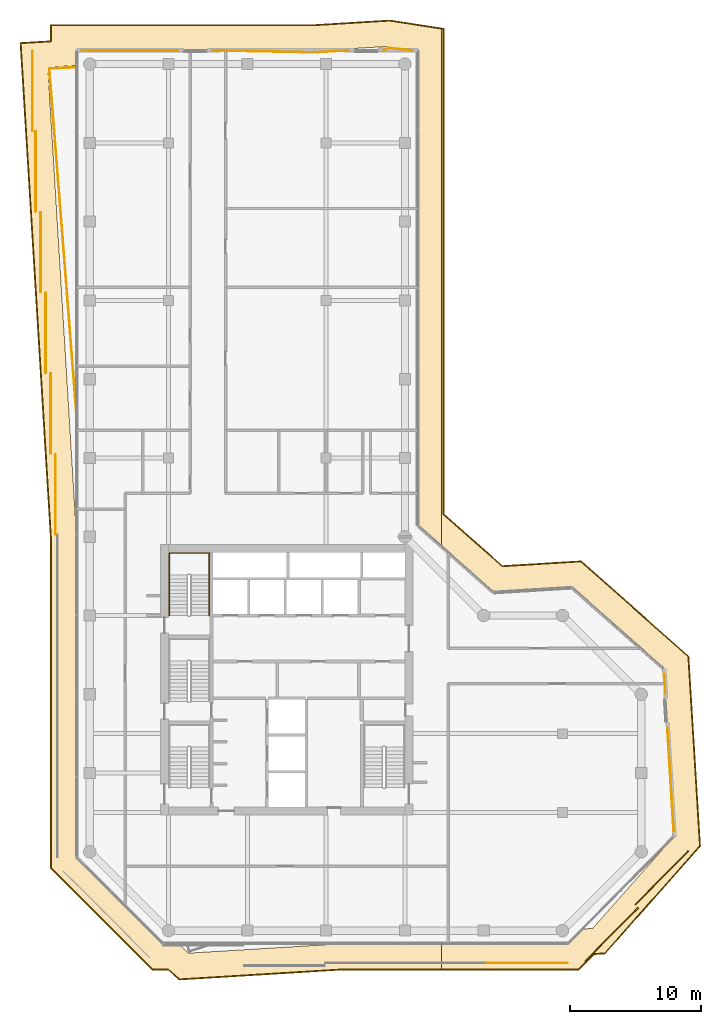
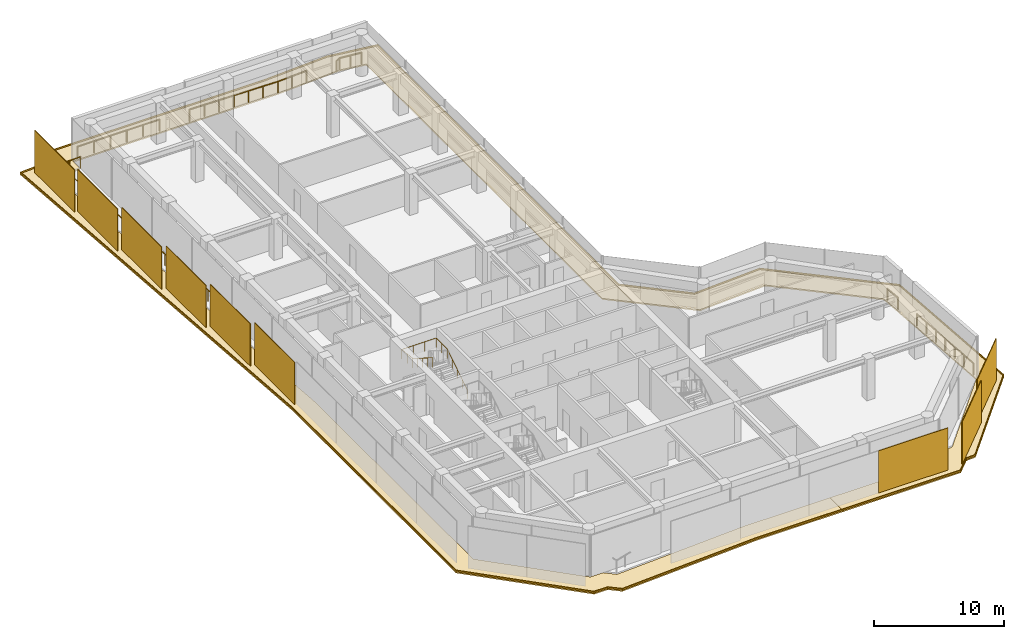
# One storey, part 21 of 21: 13 coverings, 7 railings.
"""IFC4 building model written with IfcOpenShell, lengths in metres."""

from ifc_helpers import new_model, si_unit, direction, frame, origin, origin_2d, place, context, subcontext, project, spatial, polyline, rectangle, circle, outline, extrude, material, layer, layer_set, type_object, element, save


model = new_model("IFC4")

# Units and contexts
model_context = context("Model", 3, precision=1e-05, world=origin(), true_north=direction((0.0, 1.0)))
body_context = subcontext(model_context, "Body", "Model", "MODEL_VIEW")
ifc_project = project(units=[si_unit("LENGTHUNIT", "METRE"), si_unit("AREAUNIT", "SQUARE_METRE"), si_unit("VOLUMEUNIT", "CUBIC_METRE"), si_unit("PLANEANGLEUNIT", "RADIAN"), si_unit("MASSUNIT", "GRAM", prefix="KILO")], contexts=[model_context])

# Site, building, storey
site_placement = place(None, origin())
site = spatial("IfcSite", under=ifc_project, at=site_placement, CompositionType="ELEMENT")
building_placement = place(site_placement, origin())
building = spatial("IfcBuilding", under=site, at=building_placement, Name="Welwitschia Terrace Campus", CompositionType="ELEMENT")
storey_placement = place(building_placement, frame((0.0, 0.0, 184.39990234375)))
storey = spatial("IfcBuildingStorey", under=building, at=storey_placement, Name="L41", CompositionType="ELEMENT", Elevation=184.39990234375)

# Coverings
ifc_material_1 = material(Name="Bronze mesh aluminium screen", Category="aluminium")
ifc_layer_1 = layer(ifc_material_1, 0.06005859375)
ifc_layer_set_1 = layer_set([ifc_layer_1], Name="Bronze mesh aluminium screen")
covering_type_1 = type_object("IfcCoveringType", Name="Bronze screen 60", PredefinedType="USERDEFINED", material=ifc_layer_set_1)
covering_1_placement = place(storey_placement, frame((33.34130859375, -6.4599609375, 0.0), z_axis=(0.0, 0.0, 1.0), x_axis=(1.0, 0.0, 0.0)))
element("IfcCovering", 1, at=covering_1_placement, inside=storey, type_object=covering_type_1, Name="Screen L41.1.4", ObjectType="SCREEN", PredefinedType="USERDEFINED", context=body_context, shape_type="SweptSolid", body=[
    extrude(rectangle(XDim=6.150634765625, YDim=0.06005859375, at=origin_2d()), origin(), (0.0, 0.0, 1.0), 3.949951171875),
])
for number, where, z_axis, x_axis, name in (
    (2, (39.760009765625, -4.288818359375, 0.0), (0.0, 0.0, 1.0), (0.703220040285, 0.710972274383, 0.0), "Screen L41.2.0"),
    (3, (43.57080078125, 0.017822265625, 0.0), (0.0, 0.0, 1.0), (0.703220040285, 0.710972274383, 0.0), "Screen L41.2.1"),
):
    element("IfcCovering", number, at=place(storey_placement, frame(where, z_axis=z_axis, x_axis=x_axis)), inside=storey, type_object=covering_type_1, Name=name, ObjectType="SCREEN", PredefinedType="USERDEFINED", context=body_context, shape_type="SweptSolid", body=[
        extrude(rectangle(XDim=5.721923828125, YDim=0.06005859375, at=origin_2d()), origin(), (0.0, 0.0, 1.0), 3.949951171875),
    ])
for number, where, z_axis, x_axis, name in (
    (4, (-4.360595703125, 59.957275390625, 0.0), (0.0, 0.0, 1.0), (0.0, -1.0, 0.0), "Screen L41.10.0"),
    (5, (-4.106201171875, 53.8115234375, 0.0), (0.0, 0.0, 1.0), (0.0, -1.0, 0.0), "Screen L41.10.1"),
    (6, (-3.731201171875, 47.665771484375, 0.0), (0.0, 0.0, 1.0), (0.0, -1.0, 0.0), "Screen L41.10.2"),
    (7, (-3.35595703125, 41.520263671875, 0.0), (0.0, 0.0, 1.0), (0.0, -1.0, 0.0), "Screen L41.10.3"),
    (8, (-2.980712890625, 35.37451171875, 0.0), (0.0, 0.0, 1.0), (0.0, -1.0, 0.0), "Screen L41.10.4"),
    (9, (-2.605712890625, 29.228759765625, 0.0), (0.0, 0.0, 1.0), (0.0, -1.0, 0.0), "Screen L41.10.5"),
):
    element("IfcCovering", number, at=place(storey_placement, frame(where, z_axis=z_axis, x_axis=x_axis)), inside=storey, type_object=covering_type_1, Name=name, ObjectType="SCREEN", PredefinedType="USERDEFINED", context=body_context, shape_type="SweptSolid", body=[
        extrude(rectangle(XDim=6.125732421875, YDim=0.06005859375, at=origin_2d()), origin(), (0.0, 0.0, 1.0), 3.949951171875),
    ])

# Railings
ifc_material_2 = material(Name="Stainless steel grade 316", Category="steel")
railing_type_1 = type_object("IfcRailingType", Name="Guard 1100", PredefinedType="GUARDRAIL", material=ifc_material_2)
railing_1_placement = place(storey_placement, frame((-1.030029296875, 35.67578125, 0.0)))
element("IfcRailing", 10, at=railing_1_placement, inside=storey, type_object=railing_type_1, Name="Guard floor edge L41.0", PredefinedType="GUARDRAIL", context=body_context, shape_type="SweptSolid", body=[
    extrude(circle(Radius=0.02392578125, at=origin_2d()), frame((0.0, 0.0, 1.076171875), z_axis=(-0.078245123182, 0.996934150633, 0.0), x_axis=(-0.996934150633, -0.078245123182, 0.0)), (0.0, 0.0, 1.0), 26.050537109375),
    extrude(circle(Radius=0.02392578125, at=origin_2d()), frame((-2.038330078125, 25.970703125, 1.076171875), z_axis=(0.998871383531, 0.047496938467, 0.0), x_axis=(-0.047496938467, 0.998871383531, 0.0)), (0.0, 0.0, 1.0), 2.04052734375),
    extrude(circle(Radius=0.02099609375, at=origin_2d()), origin(), (0.0, 0.0, 1.0), 1.052001953125),
    extrude(circle(Radius=0.02099609375, at=origin_2d()), frame((-0.11328125, 1.44287109375, 0.0)), (0.0, 0.0, 1.0), 1.052001953125),
    extrude(circle(Radius=0.02099609375, at=origin_2d()), frame((-0.2265625, 2.8857421875, 0.0)), (0.0, 0.0, 1.0), 1.052001953125),
    extrude(circle(Radius=0.02099609375, at=origin_2d()), frame((-0.33984375, 4.328369140625, 0.0)), (0.0, 0.0, 1.0), 1.052001953125),
    extrude(circle(Radius=0.02099609375, at=origin_2d()), frame((-0.452880859375, 5.771240234375, 0.0)), (0.0, 0.0, 1.0), 1.052001953125),
    extrude(circle(Radius=0.02099609375, at=origin_2d()), frame((-0.566162109375, 7.214111328125, 0.0)), (0.0, 0.0, 1.0), 1.052001953125),
    extrude(circle(Radius=0.02099609375, at=origin_2d()), frame((-0.679443359375, 8.656982421875, 0.0)), (0.0, 0.0, 1.0), 1.052001953125),
    extrude(circle(Radius=0.02099609375, at=origin_2d()), frame((-0.792724609375, 10.099609375, 0.0)), (0.0, 0.0, 1.0), 1.052001953125),
    extrude(circle(Radius=0.02099609375, at=origin_2d()), frame((-0.906005859375, 11.54248046875, 0.0)), (0.0, 0.0, 1.0), 1.052001953125),
    extrude(circle(Radius=0.02099609375, at=origin_2d()), frame((-1.01904296875, 12.9853515625, 0.0)), (0.0, 0.0, 1.0), 1.052001953125),
    extrude(circle(Radius=0.02099609375, at=origin_2d()), frame((-1.13232421875, 14.42822265625, 0.0)), (0.0, 0.0, 1.0), 1.052001953125),
    extrude(circle(Radius=0.02099609375, at=origin_2d()), frame((-1.24560546875, 15.87109375, 0.0)), (0.0, 0.0, 1.0), 1.052001953125),
    extrude(circle(Radius=0.02099609375, at=origin_2d()), frame((-1.35888671875, 17.313720703125, 0.0)), (0.0, 0.0, 1.0), 1.052001953125),
    extrude(circle(Radius=0.02099609375, at=origin_2d()), frame((-1.47216796875, 18.756591796875, 0.0)), (0.0, 0.0, 1.0), 1.052001953125),
    extrude(circle(Radius=0.02099609375, at=origin_2d()), frame((-1.58544921875, 20.199462890625, 0.0)), (0.0, 0.0, 1.0), 1.052001953125),
    extrude(circle(Radius=0.02099609375, at=origin_2d()), frame((-1.69873046875, 21.642333984375, 0.0)), (0.0, 0.0, 1.0), 1.052001953125),
    extrude(circle(Radius=0.02099609375, at=origin_2d()), frame((-1.811767578125, 23.0849609375, 0.0)), (0.0, 0.0, 1.0), 1.052001953125),
    extrude(circle(Radius=0.02099609375, at=origin_2d()), frame((-1.925048828125, 24.52783203125, 0.0)), (0.0, 0.0, 1.0), 1.052001953125),
    extrude(circle(Radius=0.02099609375, at=origin_2d()), frame((-2.038330078125, 25.970703125, 0.0)), (0.0, 0.0, 1.0), 1.052001953125),
    extrude(circle(Radius=0.02099609375, at=origin_2d()), frame((-1.01904296875, 26.01904296875, 0.0)), (0.0, 0.0, 1.0), 1.052001953125),
    extrude(circle(Radius=0.02099609375, at=origin_2d()), frame((0.0, 26.067626953125, 0.0)), (0.0, 0.0, 1.0), 1.052001953125),
])
railing_2_placement = place(storey_placement, frame((-0.580078125, 63.030029296875, 0.0)))
element("IfcRailing", 11, at=railing_2_placement, inside=storey, type_object=railing_type_1, Name="Guard floor edge L41.1", PredefinedType="GUARDRAIL", context=body_context, shape_type="SweptSolid", body=[
    extrude(circle(Radius=0.02392578125, at=origin_2d()), frame((0.0, 0.0, 1.076171875), z_axis=(1.0, 0.0, 0.0), x_axis=(0.0, 1.0, 0.0)), (0.0, 0.0, 1.0), 7.28955078125),
    extrude(circle(Radius=0.02099609375, at=origin_2d()), origin(), (0.0, 0.0, 1.0), 1.052001953125),
    extrude(circle(Radius=0.02099609375, at=origin_2d()), frame((1.4580078125, 0.0, 0.0)), (0.0, 0.0, 1.0), 1.052001953125),
    extrude(circle(Radius=0.02099609375, at=origin_2d()), frame((2.915771484375, 0.0, 0.0)), (0.0, 0.0, 1.0), 1.052001953125),
    extrude(circle(Radius=0.02099609375, at=origin_2d()), frame((4.373779296875, 0.0, 0.0)), (0.0, 0.0, 1.0), 1.052001953125),
    extrude(circle(Radius=0.02099609375, at=origin_2d()), frame((5.83154296875, 0.0, 0.0)), (0.0, 0.0, 1.0), 1.052001953125),
    extrude(circle(Radius=0.02099609375, at=origin_2d()), frame((7.28955078125, 0.0, 0.0)), (0.0, 0.0, 1.0), 1.052001953125),
])
railing_3_placement = place(storey_placement, frame((9.35693359375, 63.030029296875, 0.0)))
element("IfcRailing", 12, at=railing_3_placement, inside=storey, type_object=railing_type_1, Name="Guard floor edge L41.3", PredefinedType="GUARDRAIL", context=body_context, shape_type="SweptSolid", body=[
    extrude(circle(Radius=0.02392578125, at=origin_2d()), frame((0.0, 0.0, 1.076171875), z_axis=(0.999812097976, -0.019384755367, 0.0), x_axis=(0.019384755367, 0.999812097976, 0.0)), (0.0, 0.0, 1.0), 7.74560546875),
    extrude(circle(Radius=0.02392578125, at=origin_2d()), frame((7.744140625, -0.150146484375, 1.076171875), z_axis=(0.998132310433, 0.061089204199, 0.0), x_axis=(-0.061089204199, 0.998132310433, 0.0)), (0.0, 0.0, 1.0), 2.61767578125),
    extrude(circle(Radius=0.02099609375, at=origin_2d()), origin(), (0.0, 0.0, 1.0), 1.052001953125),
    extrude(circle(Radius=0.02099609375, at=origin_2d()), frame((1.290771484375, -0.02490234375, 0.0)), (0.0, 0.0, 1.0), 1.052001953125),
    extrude(circle(Radius=0.02099609375, at=origin_2d()), frame((2.581298828125, -0.050048828125, 0.0)), (0.0, 0.0, 1.0), 1.052001953125),
    extrude(circle(Radius=0.02099609375, at=origin_2d()), frame((3.8720703125, -0.0751953125, 0.0)), (0.0, 0.0, 1.0), 1.052001953125),
    extrude(circle(Radius=0.02099609375, at=origin_2d()), frame((5.162841796875, -0.10009765625, 0.0)), (0.0, 0.0, 1.0), 1.052001953125),
    extrude(circle(Radius=0.02099609375, at=origin_2d()), frame((6.453369140625, -0.125, 0.0)), (0.0, 0.0, 1.0), 1.052001953125),
    extrude(circle(Radius=0.02099609375, at=origin_2d()), frame((7.744140625, -0.150146484375, 0.0)), (0.0, 0.0, 1.0), 1.052001953125),
    extrude(circle(Radius=0.02099609375, at=origin_2d()), frame((9.050537109375, -0.0703125, 0.0)), (0.0, 0.0, 1.0), 1.052001953125),
    extrude(circle(Radius=0.02099609375, at=origin_2d()), frame((10.35693359375, 0.009765625, 0.0)), (0.0, 0.0, 1.0), 1.052001953125),
])
railing_4_placement = place(storey_placement, frame((22.37744140625, 63.027099609375, 0.0)))
element("IfcRailing", 13, at=railing_4_placement, inside=storey, type_object=railing_type_1, Name="Guard floor edge L41.4", PredefinedType="GUARDRAIL", context=body_context, shape_type="SweptSolid", body=[
    extrude(circle(Radius=0.02392578125, at=origin_2d()), frame((0.0, 0.0, 1.076171875), z_axis=(0.882816319454, 0.469718368924, 0.0), x_axis=(-0.469718368924, 0.882816319454, 0.0)), (0.0, 0.0, 1.0), 0.422607421875),
    extrude(circle(Radius=0.02392578125, at=origin_2d()), frame((0.373046875, 0.198486328125, 1.076171875), z_axis=(0.994095414226, -0.108509480763, 0.0), x_axis=(0.108509480763, 0.994095414226, 0.0)), (0.0, 0.0, 1.0), 1.840576171875),
    extrude(circle(Radius=0.02099609375, at=origin_2d()), origin(), (0.0, 0.0, 1.0), 1.052001953125),
    extrude(circle(Radius=0.02099609375, at=origin_2d()), frame((0.373046875, 0.198486328125, 0.0)), (0.0, 0.0, 1.0), 1.052001953125),
    extrude(circle(Radius=0.02099609375, at=origin_2d()), frame((1.287841796875, 0.0986328125, 0.0)), (0.0, 0.0, 1.0), 1.052001953125),
    extrude(circle(Radius=0.02099609375, at=origin_2d()), frame((2.20263671875, -0.001220703125, 0.0)), (0.0, 0.0, 1.0), 1.052001953125),
])
railing_5_placement = place(storey_placement, frame((43.743408203125, 15.541015625, 0.0)))
element("IfcRailing", 14, at=railing_5_placement, inside=storey, type_object=railing_type_1, Name="Guard floor edge L41.5", PredefinedType="GUARDRAIL", context=body_context, shape_type="SweptSolid", body=[
    extrude(circle(Radius=0.02392578125, at=origin_2d()), frame((0.0, 0.0, 1.076171875), z_axis=(0.061123608366, -0.998130204182, 0.0), x_axis=(0.998130204182, 0.061123608366, 0.0)), (0.0, 0.0, 1.0), 1.4658203125),
    extrude(circle(Radius=0.02099609375, at=origin_2d()), origin(), (0.0, 0.0, 1.0), 1.052001953125),
    extrude(circle(Radius=0.02099609375, at=origin_2d()), frame((0.089599609375, -1.463134765625, 0.0)), (0.0, 0.0, 1.0), 1.052001953125),
])
railing_6_placement = place(storey_placement, frame((43.99462890625, 11.435546875, 0.0)))
element("IfcRailing", 15, at=railing_6_placement, inside=storey, type_object=railing_type_1, Name="Guard floor edge L41.6", PredefinedType="GUARDRAIL", context=body_context, shape_type="SweptSolid", body=[
    extrude(circle(Radius=0.02392578125, at=origin_2d()), frame((0.0, 0.0, 1.076171875), z_axis=(0.061064778134, -0.998133805094, 0.0), x_axis=(0.998133805094, 0.061064778134, 0.0)), (0.0, 0.0, 1.0), 7.89208984375),
    extrude(circle(Radius=0.02099609375, at=origin_2d()), origin(), (0.0, 0.0, 1.0), 1.052001953125),
    extrude(circle(Radius=0.02099609375, at=origin_2d()), frame((0.080322265625, -1.31298828125, 0.0)), (0.0, 0.0, 1.0), 1.052001953125),
    extrude(circle(Radius=0.02099609375, at=origin_2d()), frame((0.16064453125, -2.625732421875, 0.0)), (0.0, 0.0, 1.0), 1.052001953125),
    extrude(circle(Radius=0.02099609375, at=origin_2d()), frame((0.240966796875, -3.938720703125, 0.0)), (0.0, 0.0, 1.0), 1.052001953125),
    extrude(circle(Radius=0.02099609375, at=origin_2d()), frame((0.3212890625, -5.251708984375, 0.0)), (0.0, 0.0, 1.0), 1.052001953125),
    extrude(circle(Radius=0.02099609375, at=origin_2d()), frame((0.401611328125, -6.564453125, 0.0)), (0.0, 0.0, 1.0), 1.052001953125),
    extrude(circle(Radius=0.02099609375, at=origin_2d()), frame((0.48193359375, -7.87744140625, 0.0)), (0.0, 0.0, 1.0), 1.052001953125),
])
ifc_material_3 = material(Name="Steel S355", Category="steel")
railing_type_2 = type_object("IfcRailingType", Name="Stair handrail 900", PredefinedType="HANDRAIL", material=ifc_material_3)
railing_7_placement = place(storey_placement, frame((9.10009765625, 20.0, 0.175048828125)))
element("IfcRailing", 16, at=railing_7_placement, inside=storey, type_object=railing_type_2, Name="L41 S4 stair handrail", PredefinedType="HANDRAIL", context=body_context, shape_type="SweptSolid", body=[
    extrude(circle(Radius=0.02392578125, at=origin_2d()), frame((0.0, 0.0, 0.8759765625), z_axis=(0.0, 0.847998304005, 0.529998940003), x_axis=(-1.0, 0.0, 0.0)), (0.0, 0.0, 1.0), 3.632080078125),
    extrude(circle(Radius=0.02392578125, at=origin_2d()), frame((0.0, 3.080078125, 2.80078125), z_axis=(0.0, 1.0, 0.0), x_axis=(-1.0, 0.0, 0.0)), (0.0, 0.0, 1.0), 1.669921875),
    extrude(circle(Radius=0.02392578125, at=origin_2d()), frame((0.0, 4.75, 2.80078125), z_axis=(-1.0, 0.0, 0.0), x_axis=(0.0, -1.0, 0.0)), (0.0, 0.0, 1.0), 3.050048828125),
    extrude(circle(Radius=0.02392578125, at=origin_2d()), frame((-3.050048828125, 4.75, 2.80078125), z_axis=(0.0, -0.99455077262, 0.104253348533), x_axis=(1.0, 0.0, 0.0)), (0.0, 0.0, 1.0), 1.678955078125),
    extrude(circle(Radius=0.02392578125, at=origin_2d()), frame((-3.050048828125, 3.080078125, 2.97607421875), z_axis=(0.0, -0.847998304005, 0.529998940003), x_axis=(1.0, 0.0, 0.0)), (0.0, 0.0, 1.0), 3.632080078125),
    extrude(circle(Radius=0.02099609375, at=origin_2d()), origin(), (0.0, 0.0, 1.0), 0.851806640625),
    extrude(circle(Radius=0.02099609375, at=origin_2d()), frame((0.0, 0.77001953125, 0.481201171875)), (0.0, 0.0, 1.0), 0.851806640625),
    extrude(circle(Radius=0.02099609375, at=origin_2d()), frame((0.0, 1.5400390625, 0.96240234375)), (0.0, 0.0, 1.0), 0.851806640625),
    extrude(circle(Radius=0.02099609375, at=origin_2d()), frame((0.0, 2.31005859375, 1.44384765625)), (0.0, 0.0, 1.0), 0.851806640625),
    extrude(circle(Radius=0.02099609375, at=origin_2d()), frame((0.0, 3.080078125, 1.925048828125)), (0.0, 0.0, 1.0), 0.851806640625),
    extrude(circle(Radius=0.02099609375, at=origin_2d()), frame((0.0, 3.9150390625, 1.925048828125)), (0.0, 0.0, 1.0), 0.851806640625),
    extrude(circle(Radius=0.02099609375, at=origin_2d()), frame((0.0, 4.75, 1.925048828125)), (0.0, 0.0, 1.0), 0.851806640625),
    extrude(circle(Radius=0.02099609375, at=origin_2d()), frame((-1.0166015625, 4.75, 1.925048828125)), (0.0, 0.0, 1.0), 0.851806640625),
    extrude(circle(Radius=0.02099609375, at=origin_2d()), frame((-2.033447265625, 4.75, 1.925048828125)), (0.0, 0.0, 1.0), 0.851806640625),
    extrude(circle(Radius=0.02099609375, at=origin_2d()), frame((-3.050048828125, 4.75, 1.925048828125)), (0.0, 0.0, 1.0), 0.851806640625),
    extrude(circle(Radius=0.02099609375, at=origin_2d()), frame((-3.050048828125, 3.9150390625, 2.0126953125)), (0.0, 0.0, 1.0), 0.851806640625),
    extrude(circle(Radius=0.02099609375, at=origin_2d()), frame((-3.050048828125, 3.080078125, 2.10009765625)), (0.0, 0.0, 1.0), 0.851806640625),
    extrude(circle(Radius=0.02099609375, at=origin_2d()), frame((-3.050048828125, 2.31005859375, 2.581298828125)), (0.0, 0.0, 1.0), 0.851806640625),
    extrude(circle(Radius=0.02099609375, at=origin_2d()), frame((-3.050048828125, 1.5400390625, 3.0625)), (0.0, 0.0, 1.0), 0.851806640625),
    extrude(circle(Radius=0.02099609375, at=origin_2d()), frame((-3.050048828125, 0.77001953125, 3.5439453125)), (0.0, 0.0, 1.0), 0.851806640625),
    extrude(circle(Radius=0.02099609375, at=origin_2d()), frame((-3.050048828125, 0.0, 4.025146484375)), (0.0, 0.0, 1.0), 0.851806640625),
])

# Coverings
ifc_material_4 = material(Name="Bronze anodised aluminium", Category="aluminium")
ifc_layer_2 = layer(ifc_material_4, 0.1201171875)
ifc_layer_set_2 = layer_set([ifc_layer_2], Name="Bronze anodised aluminium")
covering_type_2 = type_object("IfcCoveringType", Name="Sunshade band 2000", PredefinedType="USERDEFINED", material=ifc_layer_set_2)
covering_2_placement = place(storey_placement, frame((0.0, 0.0, -0.25)))
element("IfcCovering", 17, at=covering_2_placement, inside=storey, type_object=covering_type_2, Name="SUNSHADE L41.SW0", ObjectType="SUNSHADE", PredefinedType="USERDEFINED", context=body_context, shape_type="SweptSolid", body=[
    extrude(outline(polyline([(-3.0, 65.0), (17.036376953125, 65.0), (22.848388671875, 65.35546875), (26.804443359375, 64.745361328125), (26.804443359375, 25.222900390625), (25.0, 26.819091796875), (25.0, 63.0), (22.756103515625, 63.34619140625), (17.097412109375, 63.0), (-1.0, 63.0), (-1.0, 61.89306640625), (-3.195556640625, 61.7587890625), (-1.0, 25.8623046875), (-1.0, 1.585693359375), (5.585693359375, -5.0), (6.72412109375, -5.0), (7.529296875, -5.71240234375), (19.175048828125, -5.0), (26.804443359375, -5.0), (26.804443359375, -7.0), (19.236083984375, -7.0), (6.824462890625, -7.759033203125), (5.96630859375, -7.0), (4.75732421875, -7.0), (-3.0, 0.75732421875), (-3.0, 25.801025390625), (-5.31396484375, 63.633056640625), (-3.0, 63.7744140625), (-3.0, 65.0)])), origin(), (0.0, 0.0, 1.0), 0.1201171875),
])
covering_3_placement = place(storey_placement, frame((0.0, 0.0, -0.25)))
element("IfcCovering", 18, at=covering_3_placement, inside=storey, type_object=covering_type_2, Name="SUNSHADE L41.SE0", ObjectType="SUNSHADE", PredefinedType="USERDEFINED", context=body_context, shape_type="SweptSolid", body=[
    extrude(outline(polyline([(27.0, 64.715087890625), (27.0, 27.72021484375), (31.428955078125, 23.8017578125), (37.417724609375, 24.168212890625), (45.63427734375, 16.898681640625), (46.5185546875, 2.4404296875), (39.249267578125, -5.77587890625), (38.415771484375, -5.826904296875), (37.24267578125, -7.0), (26.804443359375, -7.0), (26.804443359375, -5.0), (36.414306640625, -5.0), (37.537353515625, -3.876953125), (38.30029296875, -3.830322265625), (44.4716796875, 3.145263671875), (43.6884765625, 15.94970703125), (36.712890625, 22.121337890625), (30.72412109375, 21.7548828125), (26.804443359375, 25.222900390625), (26.804443359375, 64.745361328125), (27.0, 64.715087890625)])), origin(), (0.0, 0.0, 1.0), 0.1201171875),
])
ifc_material_5 = material(Name="Bronze anodised aluminium", Category="aluminium")
ifc_layer_3 = layer(ifc_material_5, 0.06005859375)
ifc_layer_set_3 = layer_set([ifc_layer_3], Name="Bronze anodised aluminium")
covering_type_3 = type_object("IfcCoveringType", Name="Sunshade lip 60", PredefinedType="USERDEFINED", material=ifc_layer_set_3)
covering_4_placement = place(storey_placement, frame((0.0, 0.0, -0.1298828125)))
element("IfcCovering", 19, at=covering_4_placement, inside=storey, type_object=covering_type_3, Name="SUNSHADE LIP L41.SW0.0", ObjectType="SUNSHADE", PredefinedType="USERDEFINED", context=body_context, shape_type="SweptSolid", body=[
    extrude(outline(polyline([(17.036376953125, 65.0), (22.848388671875, 65.35546875), (26.804443359375, 64.745361328125), (26.804443359375, 64.6845703125), (22.845703125, 65.295166015625), (17.0380859375, 64.93994140625), (-2.93994140625, 64.93994140625), (-2.93994140625, 63.718017578125), (-5.25048828125, 63.576904296875), (-2.93994140625, 25.802978515625), (-2.93994140625, 0.7822265625), (4.7822265625, -6.93994140625), (5.9892578125, -6.93994140625), (6.845703125, -7.69775390625), (19.234130859375, -6.93994140625), (26.804443359375, -6.93994140625), (26.804443359375, -7.0), (19.236083984375, -7.0), (6.824462890625, -7.759033203125), (5.96630859375, -7.0), (4.75732421875, -7.0), (-3.0, 0.75732421875), (-3.0, 25.801025390625), (-5.31396484375, 63.633056640625), (-3.0, 63.7744140625), (-3.0, 65.0), (17.036376953125, 65.0)])), origin(), (0.0, 0.0, 1.0), 0.1298828125),
])
covering_5_placement = place(storey_placement, frame((0.0, 0.0, -0.1298828125)))
element("IfcCovering", 20, at=covering_5_placement, inside=storey, type_object=covering_type_3, Name="SUNSHADE LIP L41.SE0.0", ObjectType="SUNSHADE", PredefinedType="USERDEFINED", context=body_context, shape_type="SweptSolid", body=[
    extrude(outline(polyline([(27.0, 27.72021484375), (31.428955078125, 23.8017578125), (37.417724609375, 24.168212890625), (45.63427734375, 16.898681640625), (46.5185546875, 2.4404296875), (39.249267578125, -5.77587890625), (38.415771484375, -5.826904296875), (37.24267578125, -7.0), (26.804443359375, -7.0), (26.804443359375, -6.93994140625), (37.2177734375, -6.93994140625), (38.389404296875, -5.768310546875), (39.220703125, -5.717529296875), (46.45703125, 2.461669921875), (45.57568359375, 16.870361328125), (37.396484375, 24.106689453125), (31.40771484375, 23.740478515625), (26.93994140625, 27.693115234375), (26.93994140625, 64.663818359375), (26.804443359375, 64.6845703125), (26.804443359375, 64.745361328125), (27.0, 64.715087890625), (27.0, 27.72021484375)])), origin(), (0.0, 0.0, 1.0), 0.1298828125),
])

save(model, "model.ifc")
